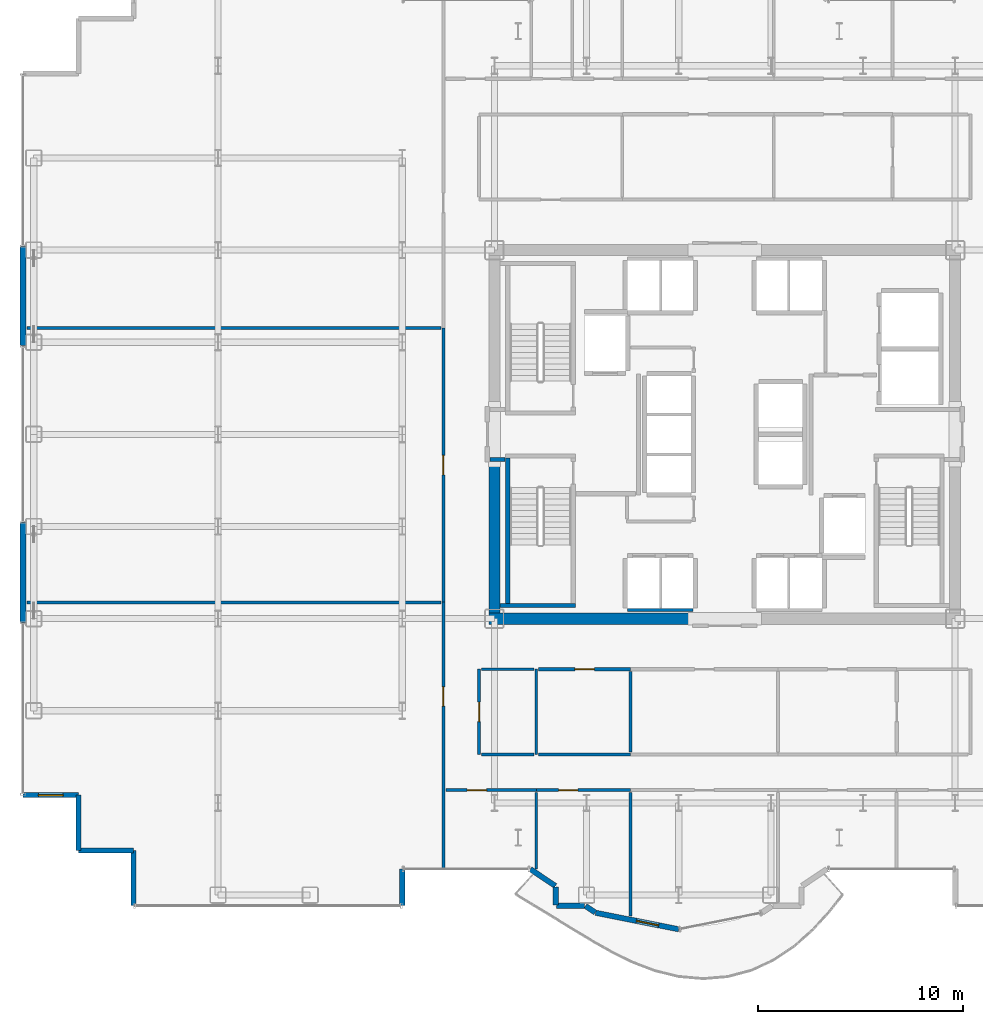
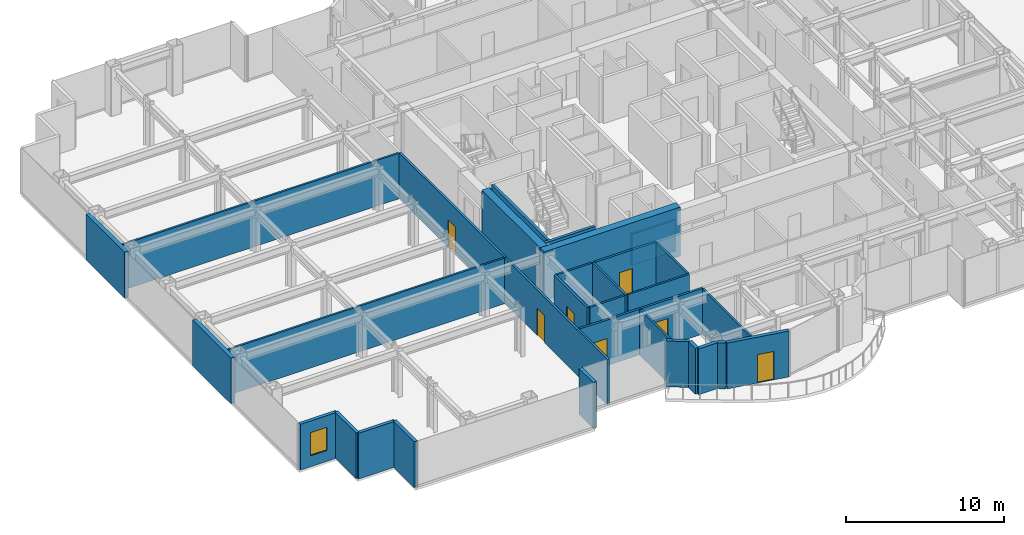
# One storey, part 19 of 27: 33 walls, 7 doors, 1 window, 8 openings.
"""IFC4 building model written with IfcOpenShell, lengths in metres."""

from ifc_helpers import new_model, si_unit, direction, frame, frame_2d, origin, place, context, subcontext, project, spatial, rectangle, extrude, source, transform, mapped, material, layer, layer_set, type_object, element, fill, save


model = new_model("IFC4")

# Units and contexts
model_context = context("Model", 3, precision=1e-05, world=origin(), true_north=direction((0.0, 1.0)))
body_context = subcontext(model_context, "Body", "Model", "MODEL_VIEW")
ifc_project = project(units=[si_unit("LENGTHUNIT", "METRE"), si_unit("AREAUNIT", "SQUARE_METRE"), si_unit("VOLUMEUNIT", "CUBIC_METRE"), si_unit("PLANEANGLEUNIT", "RADIAN"), si_unit("MASSUNIT", "GRAM", prefix="KILO")], contexts=[model_context])

# Site, building, storey
site_placement = place(None, origin())
site = spatial("IfcSite", under=ifc_project, at=site_placement, CompositionType="ELEMENT")
building_placement = place(site_placement, origin())
building = spatial("IfcBuilding", under=site, at=building_placement, Name="Nefas-Gora Pilgrimage Tower", CompositionType="ELEMENT")
storey_placement = place(building_placement, frame((0.0, 0.0, 148.800048828125)))
storey = spatial("IfcBuildingStorey", under=building, at=storey_placement, Name="L36", CompositionType="ELEMENT", Elevation=148.800048828125)

# Walls
ifc_material_1 = material(Name="Concrete C60/75", Category="concrete")
ifc_layer_1 = layer(ifc_material_1, 0.550048828125)
ifc_layer_set_1 = layer_set([ifc_layer_1], Name="Concrete C60/75")
wall_type_1 = type_object("IfcWallType", Name="SW-CORE-550", PredefinedType="SHEAR", material=ifc_layer_set_1)
shared_shape_1 = source(origin(), body_context, "Body", "SweptSolid", [
    extrude(rectangle(XDim=9.974853515625, YDim=0.550048828125, at=frame_2d((4.9873046875, 0.0))), origin(), (0.0, 0.0, 1.0), 3.800048828125),
])
wall_1_placement = place(storey_placement, frame((-11.52490234375, -9.0, 0.0), z_axis=(0.0, 0.0, 1.0), x_axis=(1.0, 0.0, 0.0)))
element("IfcWall", 1, at=wall_1_placement, inside=storey, type_object=wall_type_1, Name="L36 Core Shear Wall S-West", PredefinedType="SHEAR", context=body_context, shape_type="MappedRepresentation", body=[
    mapped(shared_shape_1, transform((0.0, 0.0, 0.0), x_axis=(1.0, 0.0, 0.0), y_axis=(0.0, 1.0, 0.0), z_axis=(0.0, 0.0, 1.0), scale=1.0)),
])
shared_shape_2 = source(origin(), body_context, "Body", "SweptSolid", [
    extrude(rectangle(XDim=7.375, YDim=0.550048828125, at=frame_2d((3.6875, 0.0))), origin(), (0.0, 0.0, 1.0), 3.800048828125),
])
wall_2_placement = place(storey_placement, frame((-11.25, -8.72509765625, 0.0), z_axis=(0.0, 0.0, 1.0), x_axis=(0.0, 1.0, 0.0)))
element("IfcWall", 2, at=wall_2_placement, inside=storey, type_object=wall_type_1, Name="L36 Core Shear Wall W-South", PredefinedType="SHEAR", context=body_context, shape_type="MappedRepresentation", body=[
    mapped(shared_shape_2, transform((0.0, 0.0, 0.0), x_axis=(1.0, 0.0, 0.0), y_axis=(0.0, 1.0, 0.0), z_axis=(0.0, 0.0, 1.0), scale=1.0)),
])
ifc_material_2 = material(Name="Precast concrete C45/55", Category="concrete")
ifc_layer_2 = layer(ifc_material_2, 0.239990234375)
ifc_layer_set_2 = layer_set([ifc_layer_2], Name="Precast concrete C45/55")
wall_type_2 = type_object("IfcWallType", Name="EW-SERR-240", PredefinedType="SHEAR", material=ifc_layer_set_2)
shared_shape_3 = source(origin(), body_context, "Body", "SweptSolid", [
    extrude(rectangle(XDim=4.8798828125, YDim=0.300048828125, at=frame_2d((2.43994140625, 0.0))), origin(), (0.0, 0.0, 1.0), 3.550048828125),
])
for number, where, z_axis, x_axis, name in (
    (3, (-34.27001953125, -9.18994140625, 0.0), (0.0, 0.0, 1.0), (0.0, 1.0, 0.0), "L36 Braced-Tube Precast Shear Cladding 1"),
    (4, (-34.27001953125, 4.31005859375, 0.0), (0.0, 0.0, 1.0), (0.0, 1.0, 0.0), "L36 Braced-Tube Precast Shear Cladding 2"),
):
    element("IfcWall", number, at=place(storey_placement, frame(where, z_axis=z_axis, x_axis=x_axis)), inside=storey, type_object=wall_type_2, Name=name, PredefinedType="SHEAR", context=body_context, shape_type="MappedRepresentation", body=[
        mapped(shared_shape_3, transform((0.0, 0.0, 0.0), x_axis=(1.0, 0.0, 0.0), y_axis=(0.0, 1.0, 0.0), z_axis=(0.0, 0.0, 1.0), scale=1.0)),
    ])
ifc_material_3 = material(Name="Precast concrete C40/50", Category="concrete")
ifc_layer_3 = layer(ifc_material_3, 0.260009765625)
ifc_layer_set_3 = layer_set([ifc_layer_3], Name="Precast concrete C40/50")
wall_type_3 = type_object("IfcWallType", Name="EW-PORTAL-260", PredefinedType="SOLIDWALL", material=ifc_layer_set_3)
shared_shape_4 = source(origin(), body_context, "Body", "SweptSolid", [
    extrude(rectangle(XDim=1.800048828125, YDim=0.260009765625, at=frame_2d((0.89990234375, 0.0))), origin(), (0.0, 0.0, 1.0), 3.550048828125),
])
wall_3_placement = place(storey_placement, frame((-15.75, -23.02001953125, 0.0), z_axis=(0.0, 0.0, 1.0), x_axis=(0.0, 1.0, 0.0)))
element("IfcWall", 5, at=wall_3_placement, inside=storey, type_object=wall_type_3, Name="L36 Lobe Shoulder Precast Spandrel Pier 33", PredefinedType="SOLIDWALL", context=body_context, shape_type="MappedRepresentation", body=[
    mapped(shared_shape_4, transform((0.0, 0.0, 0.0), x_axis=(1.0, 0.0, 0.0), y_axis=(0.0, 1.0, 0.0), z_axis=(0.0, 0.0, 1.0), scale=1.0)),
])

# Wall, opening, window
shared_shape_5 = source(origin(), body_context, "Body", "SweptSolid", [
    extrude(rectangle(XDim=2.699951171875, YDim=0.239990234375, at=frame_2d((1.35009765625, 0.0))), origin(), (0.0, 0.0, 1.0), 3.550048828125),
])
wall_4_placement = place(storey_placement, frame((-34.27001953125, -17.6201171875, 0.0), z_axis=(0.0, 0.0, 1.0), x_axis=(1.0, 0.0, 0.0)))
wall_4 = element("IfcWall", 6, at=wall_4_placement, inside=storey, type_object=wall_type_2, Name="L36 Serrated Corner Shear Pier Wall 29", PredefinedType="SHEAR", context=body_context, shape_type="MappedRepresentation", body=[
    mapped(shared_shape_5, transform((0.0, 0.0, 0.0), x_axis=(1.0, 0.0, 0.0), y_axis=(0.0, 1.0, 0.0), z_axis=(0.0, 0.0, 1.0), scale=1.0)),
])
opening_1_placement = place(wall_4_placement, frame((0.75, 0.0, 0.85009765625)))
opening_1 = element("IfcOpeningElement", 7, at=opening_1_placement, cuts=wall_4, Name="Opening W-V1", PredefinedType="OPENING", context=body_context, shape_type="SweptSolid", body=[
    extrude(rectangle(XDim=1.199951171875, YDim=1.800048828125, at=frame_2d((0.60009765625, 0.89990234375))), frame((0.0, 0.1298828125, 0.0), z_axis=(0.0, -1.0, 0.0), x_axis=(1.0, 0.0, 0.0)), (0.0, 0.0, 1.0), 0.260009765625),
])
ifc_material_4 = material(Name="Dark ceramic-fritted operable aluminium-glass window", Category="aluminium")
window_type = type_object("IfcWindowType", Name="WIN-VENT-1200x1800", PartitioningType="SINGLE_PANEL", PredefinedType="WINDOW", material=ifc_material_4)
shared_shape_6 = source(origin(), body_context, "Body", "SweptSolid", [
    extrude(rectangle(XDim=1.199951171875, YDim=1.800048828125, at=frame_2d((0.60009765625, 0.89990234375))), frame((0.0, 0.030029296875, 0.0), z_axis=(0.0, -1.0, 0.0), x_axis=(1.0, 0.0, 0.0)), (0.0, 0.0, 1.0), 0.06005859375),
])
window_placement = place(opening_1_placement, origin())
window = element("IfcWindow", 8, at=window_placement, inside=storey, type_object=window_type, Name="L36 Operable Parallel-Outswing Window 29", OverallHeight=1.800048828125, OverallWidth=1.199951171875, PartitioningType="SINGLE_PANEL", PredefinedType="WINDOW", context=body_context, shape_type="MappedRepresentation", body=[
    mapped(shared_shape_6, transform((0.0, 0.0, 0.0), x_axis=(1.0, 0.0, 0.0), y_axis=(0.0, 1.0, 0.0), z_axis=(0.0, 0.0, 1.0), scale=1.0)),
])
fill(opening_1, window)

# Walls
for number, where, z_axis, x_axis, name in (
    (9, (-31.570068359375, -17.6201171875, 0.0), (0.0, 0.0, 1.0), (0.0, -1.0, 0.0), "L36 Serrated Corner Shear Pier Wall 30"),
    (10, (-31.570068359375, -20.320068359375, 0.0), (0.0, 0.0, 1.0), (1.0, 0.0, 0.0), "L36 Serrated Corner Shear Pier Wall 31"),
    (11, (-28.8701171875, -20.320068359375, 0.0), (0.0, 0.0, 1.0), (0.0, -1.0, 0.0), "L36 Serrated Corner Shear Pier Wall 32"),
):
    element("IfcWall", number, at=place(storey_placement, frame(where, z_axis=z_axis, x_axis=x_axis)), inside=storey, type_object=wall_type_2, Name=name, PredefinedType="SHEAR", context=body_context, shape_type="MappedRepresentation", body=[
        mapped(shared_shape_5, transform((0.0, 0.0, 0.0), x_axis=(1.0, 0.0, 0.0), y_axis=(0.0, 1.0, 0.0), z_axis=(0.0, 0.0, 1.0), scale=1.0)),
    ])
shared_shape_7 = source(origin(), body_context, "Body", "SweptSolid", [
    extrude(rectangle(XDim=1.468994140625, YDim=0.260009765625, at=frame_2d((0.734375, 0.0))), origin(), (0.0, 0.0, 1.0), 3.550048828125),
])
wall_5_placement = place(storey_placement, frame((-9.49462890625, -21.235595703125, 0.0), z_axis=(0.0, 0.0, 1.0), x_axis=(0.831461760506, -0.555581983884, 0.0)))
element("IfcWall", 12, at=wall_5_placement, inside=storey, type_object=wall_type_3, Name="L36 Lobe Shoulder Precast Spandrel Pier 34", PredefinedType="SOLIDWALL", context=body_context, shape_type="MappedRepresentation", body=[
    mapped(shared_shape_7, transform((0.0, 0.0, 0.0), x_axis=(1.0, 0.0, 0.0), y_axis=(0.0, 1.0, 0.0), z_axis=(0.0, 0.0, 1.0), scale=1.0)),
])
shared_shape_8 = source(origin(), body_context, "Body", "SweptSolid", [
    extrude(rectangle(XDim=0.896728515625, YDim=0.260009765625, at=frame_2d((0.4482421875, 0.0))), origin(), (0.0, 0.0, 1.0), 3.550048828125),
])
wall_6_placement = place(storey_placement, frame((-8.25, -22.09521484375, 0.0), z_axis=(0.0, 0.0, 1.0), x_axis=(0.0, -1.0, 0.0)))
element("IfcWall", 13, at=wall_6_placement, inside=storey, type_object=wall_type_3, Name="L36 Lobe Shoulder Precast Spandrel Pier 35", PredefinedType="SOLIDWALL", context=body_context, shape_type="MappedRepresentation", body=[
    mapped(shared_shape_8, transform((0.0, 0.0, 0.0), x_axis=(1.0, 0.0, 0.0), y_axis=(0.0, 1.0, 0.0), z_axis=(0.0, 0.0, 1.0), scale=1.0)),
])
shared_shape_9 = source(origin(), body_context, "Body", "SweptSolid", [
    extrude(rectangle(XDim=1.369873046875, YDim=0.260009765625, at=frame_2d((0.68505859375, 0.0))), origin(), (0.0, 0.0, 1.0), 3.550048828125),
])
wall_7_placement = place(storey_placement, frame((-8.221923828125, -23.02001953125, 0.0), z_axis=(0.0, 0.0, 1.0), x_axis=(1.0, 0.0, 0.0)))
element("IfcWall", 14, at=wall_7_placement, inside=storey, type_object=wall_type_3, Name="L36 Lobe Shoulder Precast Spandrel Pier 36", PredefinedType="SOLIDWALL", context=body_context, shape_type="MappedRepresentation", body=[
    mapped(shared_shape_9, transform((0.0, 0.0, 0.0), x_axis=(1.0, 0.0, 0.0), y_axis=(0.0, 1.0, 0.0), z_axis=(0.0, 0.0, 1.0), scale=1.0)),
])
shared_shape_10 = source(origin(), body_context, "Body", "SweptSolid", [
    extrude(rectangle(XDim=0.5654296875, YDim=0.260009765625, at=frame_2d((0.28271484375, 0.0))), origin(), (0.0, 0.0, 1.0), 3.550048828125),
])
wall_8_placement = place(storey_placement, frame((-6.80078125, -23.03564453125, 0.0), z_axis=(0.0, 0.0, 1.0), x_axis=(0.831651492666, -0.555297933317, 0.0)))
element("IfcWall", 15, at=wall_8_placement, inside=storey, type_object=wall_type_3, Name="L36 Lobe Shoulder Precast Spandrel Pier 37", PredefinedType="SOLIDWALL", context=body_context, shape_type="MappedRepresentation", body=[
    mapped(shared_shape_10, transform((0.0, 0.0, 0.0), x_axis=(1.0, 0.0, 0.0), y_axis=(0.0, 1.0, 0.0), z_axis=(0.0, 0.0, 1.0), scale=1.0)),
])

# Wall, opening, door
shared_shape_11 = source(origin(), body_context, "Body", "SweptSolid", [
    extrude(rectangle(XDim=4.136962890625, YDim=0.260009765625, at=frame_2d((2.068359375, 0.0))), origin(), (0.0, 0.0, 1.0), 3.550048828125),
])
wall_9_placement = place(storey_placement, frame((-6.307373046875, -23.365234375, 0.0), z_axis=(0.0, 0.0, 1.0), x_axis=(0.980782170794, -0.195105954428, 0.0)))
wall_9 = element("IfcWall", 16, at=wall_9_placement, inside=storey, type_object=wall_type_3, Name="L36 Insulated Terrace Portal Wall 38", PredefinedType="SOLIDWALL", context=body_context, shape_type="MappedRepresentation", body=[
    mapped(shared_shape_11, transform((0.0, 0.0, 0.0), x_axis=(1.0, 0.0, 0.0), y_axis=(0.0, 1.0, 0.0), z_axis=(0.0, 0.0, 1.0), scale=1.0)),
])
opening_2_placement = place(wall_9_placement, frame((2.03369140625, 0.0, 0.0)))
opening_2 = element("IfcOpeningElement", 17, at=opening_2_placement, cuts=wall_9, Name="Opening ED-B1", PredefinedType="OPENING", context=body_context, shape_type="SweptSolid", body=[
    extrude(rectangle(XDim=1.10009765625, YDim=2.199951171875, at=frame_2d((0.550048828125, 1.10009765625))), frame((0.0, 0.139892578125, 0.0), z_axis=(0.0, -1.0, 0.0), x_axis=(1.0, 0.0, 0.0)), (0.0, 0.0, 1.0), 0.280029296875),
])
ifc_material_5 = material(Name="Thermally broken glazed aluminium balcony door", Category="aluminium")
door_type_1 = type_object("IfcDoorType", Name="DR-EXT-BAL-1100", OperationType="NOTDEFINED", PredefinedType="DOOR", material=ifc_material_5)
shared_shape_12 = source(origin(), body_context, "Body", "SweptSolid", [
    extrude(rectangle(XDim=1.10009765625, YDim=2.199951171875, at=frame_2d((0.550048828125, 1.10009765625))), frame((0.0, 0.02490234375, 0.0), z_axis=(0.0, -1.0, 0.0), x_axis=(1.0, 0.0, 0.0)), (0.0, 0.0, 1.0), 0.050048828125),
])
door_1_placement = place(opening_2_placement, origin())
door_1 = element("IfcDoor", 18, at=door_1_placement, inside=storey, type_object=door_type_1, Name="L36 Exterior Door (L36 S Lobe Wave Balcony)", OperationType="SINGLE_SWING_LEFT", OverallHeight=2.199951171875, OverallWidth=1.10009765625, PredefinedType="DOOR", context=body_context, shape_type="MappedRepresentation", body=[
    mapped(shared_shape_12, transform((0.0, 0.0, 0.0), x_axis=(1.0, 0.0, 0.0), y_axis=(0.0, 1.0, 0.0), z_axis=(0.0, 0.0, 1.0), scale=1.0)),
])
fill(opening_2, door_1)

# Walls
ifc_material_6 = material(Name="Concrete C45/55", Category="concrete")
ifc_layer_4 = layer(ifc_material_6, 0.199951171875)
ifc_layer_set_4 = layer_set([ifc_layer_4], Name="Concrete C45/55")
wall_type_4 = type_object("IfcWallType", Name="IW-STAIR-200", PredefinedType="SOLIDWALL", material=ifc_layer_set_4)
shared_shape_13 = source(origin(), body_context, "Body", "SweptSolid", [
    extrude(rectangle(XDim=7.10009765625, YDim=0.199951171875, at=frame_2d((3.550048828125, 0.0))), origin(), (0.0, 0.0, 1.0), 3.800048828125),
])
wall_10_placement = place(storey_placement, frame((-10.60009765625, -1.14990234375, 0.0), z_axis=(0.0, 0.0, 1.0), x_axis=(0.0, -1.0, 0.0)))
element("IfcWall", 19, at=wall_10_placement, inside=storey, type_object=wall_type_4, Name="L36 Stairwell Shear Wall ST-03-left", PredefinedType="SOLIDWALL", context=body_context, shape_type="MappedRepresentation", body=[
    mapped(shared_shape_13, transform((0.0, 0.0, 0.0), x_axis=(1.0, 0.0, 0.0), y_axis=(0.0, 1.0, 0.0), z_axis=(0.0, 0.0, 1.0), scale=1.0)),
])
shared_shape_14 = source(origin(), body_context, "Body", "SweptSolid", [
    extrude(rectangle(XDim=3.679931640625, YDim=0.199951171875, at=frame_2d((1.83984375, 0.0))), origin(), (0.0, 0.0, 1.0), 3.800048828125),
])
wall_11_placement = place(storey_placement, frame((-10.97998046875, -8.35009765625, 0.0), z_axis=(0.0, 0.0, 1.0), x_axis=(1.0, 0.0, 0.0)))
element("IfcWall", 20, at=wall_11_placement, inside=storey, type_object=wall_type_4, Name="L36 Stairwell Shear Wall ST-03-far", PredefinedType="SOLIDWALL", context=body_context, shape_type="MappedRepresentation", body=[
    mapped(shared_shape_14, transform((0.0, 0.0, 0.0), x_axis=(1.0, 0.0, 0.0), y_axis=(0.0, 1.0, 0.0), z_axis=(0.0, 0.0, 1.0), scale=1.0)),
])
ifc_material_7 = material(Name="Gypsum acoustic stud partition")
ifc_layer_5 = layer(ifc_material_7, 0.159912109375)
ifc_layer_set_5 = layer_set([ifc_layer_5], Name="Gypsum acoustic stud partition")
wall_type_5 = type_object("IfcWallType", Name="IW-CORR-160", PredefinedType="PARTITIONING", material=ifc_layer_set_5)
shared_shape_15 = source(origin(), body_context, "Body", "SweptSolid", [
    extrude(rectangle(XDim=3.199951171875, YDim=0.159912109375, at=frame_2d((1.60009765625, 0.0))), origin(), (0.0, 0.0, 1.0), 2.425048828125),
])
wall_12_placement = place(storey_placement, frame((-4.75, -8.580078125, 0.0), z_axis=(0.0, 0.0, 1.0), x_axis=(1.0, 0.0, 0.0)))
element("IfcWall", 21, at=wall_12_placement, inside=storey, type_object=wall_type_5, Name="L36 Hoistway Wall PL2-W-S", PredefinedType="PARTITIONING", context=body_context, shape_type="MappedRepresentation", body=[
    mapped(shared_shape_15, transform((0.0, 0.0, 0.0), x_axis=(1.0, 0.0, 0.0), y_axis=(0.0, 1.0, 0.0), z_axis=(0.0, 0.0, 1.0), scale=1.0)),
])
ifc_material_8 = material(Name="Gypsum fire-rated shaftwall")
ifc_layer_6 = layer(ifc_material_8, 0.199951171875)
ifc_layer_set_6 = layer_set([ifc_layer_6], Name="Gypsum fire-rated shaftwall")
wall_type_6 = type_object("IfcWallType", Name="IW-FFLOB-200", PredefinedType="PARTITIONING", material=ifc_layer_set_6)
shared_shape_16 = source(origin(), body_context, "Body", "SweptSolid", [
    extrude(rectangle(XDim=0.719970703125, YDim=0.199951171875, at=frame_2d((0.35986328125, 0.0))), origin(), (0.0, 0.0, 1.0), 3.534912109375),
])
wall_13_placement = place(storey_placement, frame((-11.4599609375, -1.219970703125, 0.0), z_axis=(0.0, 0.0, 1.0), x_axis=(1.0, 0.0, 0.0)))
element("IfcWall", 22, at=wall_13_placement, inside=storey, type_object=wall_type_6, Name="L36 FF Lobby West Throat S Wall 7", PredefinedType="PARTITIONING", context=body_context, shape_type="MappedRepresentation", body=[
    mapped(shared_shape_16, transform((0.0, 0.0, 0.0), x_axis=(1.0, 0.0, 0.0), y_axis=(0.0, 1.0, 0.0), z_axis=(0.0, 0.0, 1.0), scale=1.0)),
])

# Wall, opening, door
shared_shape_17 = source(origin(), body_context, "Body", "SweptSolid", [
    extrude(rectangle(XDim=13.044921875, YDim=0.159912109375, at=frame_2d((6.5224609375, 0.0))), origin(), (0.0, 0.0, 1.0), 3.534912109375),
])
wall_14_placement = place(storey_placement, frame((-13.739990234375, -21.239990234375, 0.0), z_axis=(0.0, 0.0, 1.0), x_axis=(0.0, 1.0, 0.0)))
wall_14 = element("IfcWall", 23, at=wall_14_placement, inside=storey, type_object=wall_type_5, Name="L36 Pilgrim Tea and Beverage Pantry Partition Wall 24", PredefinedType="PARTITIONING", context=body_context, shape_type="MappedRepresentation", body=[
    mapped(shared_shape_17, transform((0.0, 0.0, 0.0), x_axis=(1.0, 0.0, 0.0), y_axis=(0.0, 1.0, 0.0), z_axis=(0.0, 0.0, 1.0), scale=1.0)),
])
opening_3_placement = place(wall_14_placement, frame((7.96240234375, 0.0, 0.0)))
opening_3 = element("IfcOpeningElement", 24, at=opening_3_placement, cuts=wall_14, Name="Opening ID-GR1", PredefinedType="OPENING", context=body_context, shape_type="SweptSolid", body=[
    extrude(rectangle(XDim=0.949951171875, YDim=2.10009765625, at=frame_2d((0.47509765625, 1.050048828125))), frame((0.0, 0.08984375, 0.0), z_axis=(0.0, -1.0, 0.0), x_axis=(1.0, 0.0, 0.0)), (0.0, 0.0, 1.0), 0.179931640625),
])
ifc_material_9 = material(Name="Solid core oak fire-rated guest entrance door")
door_type_2 = type_object("IfcDoorType", Name="DR-INT-GUEST-950", OperationType="NOTDEFINED", PredefinedType="DOOR", material=ifc_material_9)
shared_shape_18 = source(origin(), body_context, "Body", "SweptSolid", [
    extrude(rectangle(XDim=0.949951171875, YDim=2.10009765625, at=frame_2d((0.47509765625, 1.050048828125))), frame((0.0, 0.02490234375, 0.0), z_axis=(0.0, -1.0, 0.0), x_axis=(1.0, 0.0, 0.0)), (0.0, 0.0, 1.0), 0.050048828125),
])
door_2_placement = place(opening_3_placement, origin())
door_2 = element("IfcDoor", 25, at=door_2_placement, inside=storey, type_object=door_type_2, Name="L36 Pilgrim Tea and Beverage Pantry Door 9", OperationType="SINGLE_SWING_LEFT", OverallHeight=2.10009765625, OverallWidth=0.949951171875, PredefinedType="DOOR", context=body_context, shape_type="MappedRepresentation", body=[
    mapped(shared_shape_18, transform((0.0, 0.0, 0.0), x_axis=(1.0, 0.0, 0.0), y_axis=(0.0, 1.0, 0.0), z_axis=(0.0, 0.0, 1.0), scale=1.0)),
])
fill(opening_3, door_2)

# Walls
ifc_material_10 = material(Name="Gypsum twin-stud partition")
ifc_layer_7 = layer(ifc_material_10, 0.139892578125)
ifc_layer_set_7 = layer_set([ifc_layer_7], Name="Gypsum twin-stud partition")
wall_type_7 = type_object("IfcWallType", Name="IW-UNIT-140", PredefinedType="PARTITIONING", material=ifc_layer_set_7)
shared_shape_19 = source(origin(), body_context, "Body", "SweptSolid", [
    extrude(rectangle(XDim=20.219970703125, YDim=0.139892578125, at=frame_2d((10.10986328125, 0.0))), origin(), (0.0, 0.0, 1.0), 3.534912109375),
])
for number, where, z_axis, x_axis, name in (
    (26, (-34.080078125, -8.205078125, 0.0), (0.0, 0.0, 1.0), (1.0, 0.0, 0.0), "L36 Pilgrim Tea and Beverage Pantry Partition Wall 25"),
    (27, (-34.080078125, 5.195068359375, 0.0), (0.0, 0.0, 1.0), (1.0, 0.0, 0.0), "L36 Pilgrim Fellowship Seminar Room Partition Wall 27"),
):
    element("IfcWall", number, at=place(storey_placement, frame(where, z_axis=z_axis, x_axis=x_axis)), inside=storey, type_object=wall_type_7, Name=name, PredefinedType="PARTITIONING", context=body_context, shape_type="MappedRepresentation", body=[
        mapped(shared_shape_19, transform((0.0, 0.0, 0.0), x_axis=(1.0, 0.0, 0.0), y_axis=(0.0, 1.0, 0.0), z_axis=(0.0, 0.0, 1.0), scale=1.0)),
    ])

# Wall, opening, door
shared_shape_20 = source(origin(), body_context, "Body", "SweptSolid", [
    extrude(rectangle(XDim=4.425048828125, YDim=0.159912109375, at=frame_2d((2.21240234375, 0.0))), origin(), (0.0, 0.0, 1.0), 3.534912109375),
])
wall_15_placement = place(storey_placement, frame((-13.6201171875, -17.3701171875, 0.0), z_axis=(0.0, 0.0, 1.0), x_axis=(1.0, 0.0, 0.0)))
wall_15 = element("IfcWall", 28, at=wall_15_placement, inside=storey, type_object=wall_type_5, Name="L36 Pilgrim Contemplative Lounge Partition Wall 63", PredefinedType="PARTITIONING", context=body_context, shape_type="MappedRepresentation", body=[
    mapped(shared_shape_20, transform((0.0, 0.0, 0.0), x_axis=(1.0, 0.0, 0.0), y_axis=(0.0, 1.0, 0.0), z_axis=(0.0, 0.0, 1.0), scale=1.0)),
])
opening_4_placement = place(wall_15_placement, frame((1.037841796875, 0.0, 0.0)))
opening_4 = element("IfcOpeningElement", 29, at=opening_4_placement, cuts=wall_15, Name="Opening ID-GR1", PredefinedType="OPENING", context=body_context, shape_type="SweptSolid", body=[
    extrude(rectangle(XDim=0.949951171875, YDim=2.10009765625, at=frame_2d((0.47509765625, 1.050048828125))), frame((0.0, 0.08984375, 0.0), z_axis=(0.0, -1.0, 0.0), x_axis=(1.0, 0.0, 0.0)), (0.0, 0.0, 1.0), 0.179931640625),
])
door_3_placement = place(opening_4_placement, origin())
door_3 = element("IfcDoor", 30, at=door_3_placement, inside=storey, type_object=door_type_2, Name="L36 Pilgrim Contemplative Lounge Door 28", OperationType="SINGLE_SWING_RIGHT", OverallHeight=2.10009765625, OverallWidth=0.949951171875, PredefinedType="DOOR", context=body_context, shape_type="MappedRepresentation", body=[
    mapped(shared_shape_18, transform((0.0, 0.0, 0.0), x_axis=(1.0, 0.0, 0.0), y_axis=(0.0, 1.0, 0.0), z_axis=(0.0, 0.0, 1.0), scale=1.0)),
])
fill(opening_4, door_3)

shared_shape_21 = source(origin(), body_context, "Body", "SweptSolid", [
    extrude(rectangle(XDim=4.610107421875, YDim=0.159912109375, at=frame_2d((2.30517578125, 0.0))), origin(), (0.0, 0.0, 1.0), 3.534912109375),
])
wall_16_placement = place(storey_placement, frame((-9.205078125, -17.3701171875, 0.0), z_axis=(0.0, 0.0, 1.0), x_axis=(1.0, 0.0, 0.0)))
wall_16 = element("IfcWall", 31, at=wall_16_placement, inside=storey, type_object=wall_type_5, Name="L36 Pilgrim Contemplative Lounge Partition Wall 69", PredefinedType="PARTITIONING", context=body_context, shape_type="MappedRepresentation", body=[
    mapped(shared_shape_21, transform((0.0, 0.0, 0.0), x_axis=(1.0, 0.0, 0.0), y_axis=(0.0, 1.0, 0.0), z_axis=(0.0, 0.0, 1.0), scale=1.0)),
])
opening_5_placement = place(wall_16_placement, frame((1.0859375, 0.0, 0.0)))
opening_5 = element("IfcOpeningElement", 32, at=opening_5_placement, cuts=wall_16, Name="Opening ID-GR1", PredefinedType="OPENING", context=body_context, shape_type="SweptSolid", body=[
    extrude(rectangle(XDim=0.949951171875, YDim=2.10009765625, at=frame_2d((0.47509765625, 1.050048828125))), frame((0.0, 0.08984375, 0.0), z_axis=(0.0, -1.0, 0.0), x_axis=(1.0, 0.0, 0.0)), (0.0, 0.0, 1.0), 0.179931640625),
])
door_4_placement = place(opening_5_placement, origin())
door_4 = element("IfcDoor", 33, at=door_4_placement, inside=storey, type_object=door_type_2, Name="L36 Pilgrim Contemplative Lounge Door 30", OperationType="SINGLE_SWING_RIGHT", OverallHeight=2.10009765625, OverallWidth=0.949951171875, PredefinedType="DOOR", context=body_context, shape_type="MappedRepresentation", body=[
    mapped(shared_shape_18, transform((0.0, 0.0, 0.0), x_axis=(1.0, 0.0, 0.0), y_axis=(0.0, 1.0, 0.0), z_axis=(0.0, 0.0, 1.0), scale=1.0)),
])
fill(opening_5, door_4)

shared_shape_22 = source(origin(), body_context, "Body", "SweptSolid", [
    extrude(rectangle(XDim=13.41015625, YDim=0.159912109375, at=frame_2d((6.705078125, 0.0))), origin(), (0.0, 0.0, 1.0), 3.534912109375),
])
wall_17_placement = place(storey_placement, frame((-13.739990234375, -8.205078125, 0.0), z_axis=(0.0, 0.0, 1.0), x_axis=(0.0, 1.0, 0.0)))
wall_17 = element("IfcWall", 34, at=wall_17_placement, inside=storey, type_object=wall_type_5, Name="L36 Pilgrim Fellowship Seminar Room Partition Wall 26", PredefinedType="PARTITIONING", context=body_context, shape_type="MappedRepresentation", body=[
    mapped(shared_shape_22, transform((0.0, 0.0, 0.0), x_axis=(1.0, 0.0, 0.0), y_axis=(0.0, 1.0, 0.0), z_axis=(0.0, 0.0, 1.0), scale=1.0)),
])
opening_6_placement = place(wall_17_placement, frame((6.22998046875, 0.0, 0.0)))
opening_6 = element("IfcOpeningElement", 35, at=opening_6_placement, cuts=wall_17, Name="Opening ID-GR1", PredefinedType="OPENING", context=body_context, shape_type="SweptSolid", body=[
    extrude(rectangle(XDim=0.949951171875, YDim=2.10009765625, at=frame_2d((0.47509765625, 1.050048828125))), frame((0.0, 0.08984375, 0.0), z_axis=(0.0, -1.0, 0.0), x_axis=(1.0, 0.0, 0.0)), (0.0, 0.0, 1.0), 0.179931640625),
])
door_5_placement = place(opening_6_placement, origin())
door_5 = element("IfcDoor", 36, at=door_5_placement, inside=storey, type_object=door_type_2, Name="L36 Pilgrim Fellowship Seminar Room Door 10", OperationType="SINGLE_SWING_RIGHT", OverallHeight=2.10009765625, OverallWidth=0.949951171875, PredefinedType="DOOR", context=body_context, shape_type="MappedRepresentation", body=[
    mapped(shared_shape_18, transform((0.0, 0.0, 0.0), x_axis=(1.0, 0.0, 0.0), y_axis=(0.0, 1.0, 0.0), z_axis=(0.0, 0.0, 1.0), scale=1.0)),
])
fill(opening_6, door_5)

# Walls
shared_shape_23 = source(origin(), body_context, "Body", "SweptSolid", [
    extrude(rectangle(XDim=3.929931640625, YDim=0.139892578125, at=frame_2d((1.96484375, 0.0))), origin(), (0.0, 0.0, 1.0), 3.534912109375),
])
wall_18_placement = place(storey_placement, frame((-4.60498046875, -15.52001953125, 0.0), z_axis=(0.0, 0.0, 1.0), x_axis=(0.0, 1.0, 0.0)))
element("IfcWall", 37, at=wall_18_placement, inside=storey, type_object=wall_type_7, Name="L36 Pilgrim Contemplative Lounge Partition Wall 73", PredefinedType="PARTITIONING", context=body_context, shape_type="MappedRepresentation", body=[
    mapped(shared_shape_23, transform((0.0, 0.0, 0.0), x_axis=(1.0, 0.0, 0.0), y_axis=(0.0, 1.0, 0.0), z_axis=(0.0, 0.0, 1.0), scale=1.0)),
])
shared_shape_24 = source(origin(), body_context, "Body", "SweptSolid", [
    extrude(rectangle(XDim=4.179931640625, YDim=0.139892578125, at=frame_2d((2.08984375, 0.0))), origin(), (0.0, 0.0, 1.0), 3.534912109375),
])
wall_19_placement = place(storey_placement, frame((-9.205078125, -15.639892578125, 0.0), z_axis=(0.0, 0.0, 1.0), x_axis=(0.0, 1.0, 0.0)))
element("IfcWall", 38, at=wall_19_placement, inside=storey, type_object=wall_type_7, Name="L36 Pilgrim Contemplative Lounge Partition Wall 66", PredefinedType="PARTITIONING", context=body_context, shape_type="MappedRepresentation", body=[
    mapped(shared_shape_24, transform((0.0, 0.0, 0.0), x_axis=(1.0, 0.0, 0.0), y_axis=(0.0, 1.0, 0.0), z_axis=(0.0, 0.0, 1.0), scale=1.0)),
])
shared_shape_25 = source(origin(), body_context, "Body", "SweptSolid", [
    extrude(rectangle(XDim=3.737060546875, YDim=0.139892578125, at=frame_2d((1.86865234375, 0.0))), origin(), (0.0, 0.0, 1.0), 3.534912109375),
])
wall_20_placement = place(storey_placement, frame((-9.205078125, -21.22705078125, 0.0), z_axis=(0.0, 0.0, 1.0), x_axis=(0.0, 1.0, 0.0)))
element("IfcWall", 39, at=wall_20_placement, inside=storey, type_object=wall_type_7, Name="L36 Pilgrim Contemplative Lounge Partition Wall 64", PredefinedType="PARTITIONING", context=body_context, shape_type="MappedRepresentation", body=[
    mapped(shared_shape_25, transform((0.0, 0.0, 0.0), x_axis=(1.0, 0.0, 0.0), y_axis=(0.0, 1.0, 0.0), z_axis=(0.0, 0.0, 1.0), scale=1.0)),
])

# Wall, opening, door
shared_shape_26 = source(origin(), body_context, "Body", "SweptSolid", [
    extrude(rectangle(XDim=4.179931640625, YDim=0.159912109375, at=frame_2d((2.08984375, 0.0))), origin(), (0.0, 0.0, 1.0), 3.534912109375),
])
wall_21_placement = place(storey_placement, frame((-12.0, -15.639892578125, 0.0), z_axis=(0.0, 0.0, 1.0), x_axis=(0.0, 1.0, 0.0)))
wall_21 = element("IfcWall", 40, at=wall_21_placement, inside=storey, type_object=wall_type_5, Name="L36 Pilgrim Contemplative Lounge Partition Wall 65", PredefinedType="PARTITIONING", context=body_context, shape_type="MappedRepresentation", body=[
    mapped(shared_shape_26, transform((0.0, 0.0, 0.0), x_axis=(1.0, 0.0, 0.0), y_axis=(0.0, 1.0, 0.0), z_axis=(0.0, 0.0, 1.0), scale=1.0)),
])
opening_7_placement = place(wall_21_placement, frame((1.614990234375, 0.0, 0.0)))
opening_7 = element("IfcOpeningElement", 41, at=opening_7_placement, cuts=wall_21, Name="Opening ID-GR1", PredefinedType="OPENING", context=body_context, shape_type="SweptSolid", body=[
    extrude(rectangle(XDim=0.949951171875, YDim=2.10009765625, at=frame_2d((0.47509765625, 1.050048828125))), frame((0.0, 0.08984375, 0.0), z_axis=(0.0, -1.0, 0.0), x_axis=(1.0, 0.0, 0.0)), (0.0, 0.0, 1.0), 0.179931640625),
])
door_6_placement = place(opening_7_placement, origin())
door_6 = element("IfcDoor", 42, at=door_6_placement, inside=storey, type_object=door_type_2, Name="L36 Pilgrim Contemplative Lounge Door 29", OperationType="SINGLE_SWING_LEFT", OverallHeight=2.10009765625, OverallWidth=0.949951171875, PredefinedType="DOOR", context=body_context, shape_type="MappedRepresentation", body=[
    mapped(shared_shape_18, transform((0.0, 0.0, 0.0), x_axis=(1.0, 0.0, 0.0), y_axis=(0.0, 1.0, 0.0), z_axis=(0.0, 0.0, 1.0), scale=1.0)),
])
fill(opening_7, door_6)

# Walls
shared_shape_27 = source(origin(), body_context, "Body", "SweptSolid", [
    extrude(rectangle(XDim=2.56494140625, YDim=0.139892578125, at=frame_2d((1.282470703125, 0.0))), origin(), (0.0, 0.0, 1.0), 3.534912109375),
])
for number, where, z_axis, x_axis, name in (
    (43, (-11.8798828125, -11.469970703125, 0.0), (0.0, 0.0, 1.0), (1.0, 0.0, 0.0), "L36 Pilgrim Contemplative Lounge Partition Wall 67"),
    (44, (-11.8798828125, -15.6298828125, 0.0), (0.0, 0.0, 1.0), (1.0, 0.0, 0.0), "L36 Pilgrim Contemplative Lounge Partition Wall 68"),
):
    element("IfcWall", number, at=place(storey_placement, frame(where, z_axis=z_axis, x_axis=x_axis)), inside=storey, type_object=wall_type_7, Name=name, PredefinedType="PARTITIONING", context=body_context, shape_type="MappedRepresentation", body=[
        mapped(shared_shape_27, transform((0.0, 0.0, 0.0), x_axis=(1.0, 0.0, 0.0), y_axis=(0.0, 1.0, 0.0), z_axis=(0.0, 0.0, 1.0), scale=1.0)),
    ])
shared_shape_28 = source(origin(), body_context, "Body", "SweptSolid", [
    extrude(rectangle(XDim=6.040771484375, YDim=0.139892578125, at=frame_2d((3.0205078125, 0.0))), origin(), (0.0, 0.0, 1.0), 3.534912109375),
])
wall_22_placement = place(storey_placement, frame((-4.60498046875, -23.53076171875, 0.0), z_axis=(0.0, 0.0, 1.0), x_axis=(0.0, 1.0, 0.0)))
element("IfcWall", 45, at=wall_22_placement, inside=storey, type_object=wall_type_7, Name="L36 Pilgrim Contemplative Lounge Partition Wall 70", PredefinedType="PARTITIONING", context=body_context, shape_type="MappedRepresentation", body=[
    mapped(shared_shape_28, transform((0.0, 0.0, 0.0), x_axis=(1.0, 0.0, 0.0), y_axis=(0.0, 1.0, 0.0), z_axis=(0.0, 0.0, 1.0), scale=1.0)),
])

# Wall, opening, door
shared_shape_29 = source(origin(), body_context, "Body", "SweptSolid", [
    extrude(rectangle(XDim=4.5, YDim=0.159912109375, at=frame_2d((2.25, 0.0))), origin(), (0.0, 0.0, 1.0), 3.534912109375),
])
wall_23_placement = place(storey_placement, frame((-9.094970703125, -11.469970703125, 0.0), z_axis=(0.0, 0.0, 1.0), x_axis=(1.0, 0.0, 0.0)))
wall_23 = element("IfcWall", 46, at=wall_23_placement, inside=storey, type_object=wall_type_5, Name="L36 Pilgrim Contemplative Lounge Partition Wall 71", PredefinedType="PARTITIONING", context=body_context, shape_type="MappedRepresentation", body=[
    mapped(shared_shape_29, transform((0.0, 0.0, 0.0), x_axis=(1.0, 0.0, 0.0), y_axis=(0.0, 1.0, 0.0), z_axis=(0.0, 0.0, 1.0), scale=1.0)),
])
opening_8_placement = place(wall_23_placement, frame((1.77490234375, 0.0, 0.0)))
opening_8 = element("IfcOpeningElement", 47, at=opening_8_placement, cuts=wall_23, Name="Opening ID-GR1", PredefinedType="OPENING", context=body_context, shape_type="SweptSolid", body=[
    extrude(rectangle(XDim=0.949951171875, YDim=2.10009765625, at=frame_2d((0.47509765625, 1.050048828125))), frame((0.0, 0.08984375, 0.0), z_axis=(0.0, -1.0, 0.0), x_axis=(1.0, 0.0, 0.0)), (0.0, 0.0, 1.0), 0.179931640625),
])
door_7_placement = place(opening_8_placement, origin())
door_7 = element("IfcDoor", 48, at=door_7_placement, inside=storey, type_object=door_type_2, Name="L36 Pilgrim Contemplative Lounge Door 31", OperationType="SINGLE_SWING_LEFT", OverallHeight=2.10009765625, OverallWidth=0.949951171875, PredefinedType="DOOR", context=body_context, shape_type="MappedRepresentation", body=[
    mapped(shared_shape_18, transform((0.0, 0.0, 0.0), x_axis=(1.0, 0.0, 0.0), y_axis=(0.0, 1.0, 0.0), z_axis=(0.0, 0.0, 1.0), scale=1.0)),
])
fill(opening_8, door_7)

# Wall
shared_shape_30 = source(origin(), body_context, "Body", "SweptSolid", [
    extrude(rectangle(XDim=4.5, YDim=0.139892578125, at=frame_2d((2.25, 0.0))), origin(), (0.0, 0.0, 1.0), 3.534912109375),
])
wall_24_placement = place(storey_placement, frame((-9.094970703125, -15.6298828125, 0.0), z_axis=(0.0, 0.0, 1.0), x_axis=(1.0, 0.0, 0.0)))
element("IfcWall", 49, at=wall_24_placement, inside=storey, type_object=wall_type_7, Name="L36 Pilgrim Contemplative Lounge Partition Wall 72", PredefinedType="PARTITIONING", context=body_context, shape_type="MappedRepresentation", body=[
    mapped(shared_shape_30, transform((0.0, 0.0, 0.0), x_axis=(1.0, 0.0, 0.0), y_axis=(0.0, 1.0, 0.0), z_axis=(0.0, 0.0, 1.0), scale=1.0)),
])

save(model, "model.ifc")
